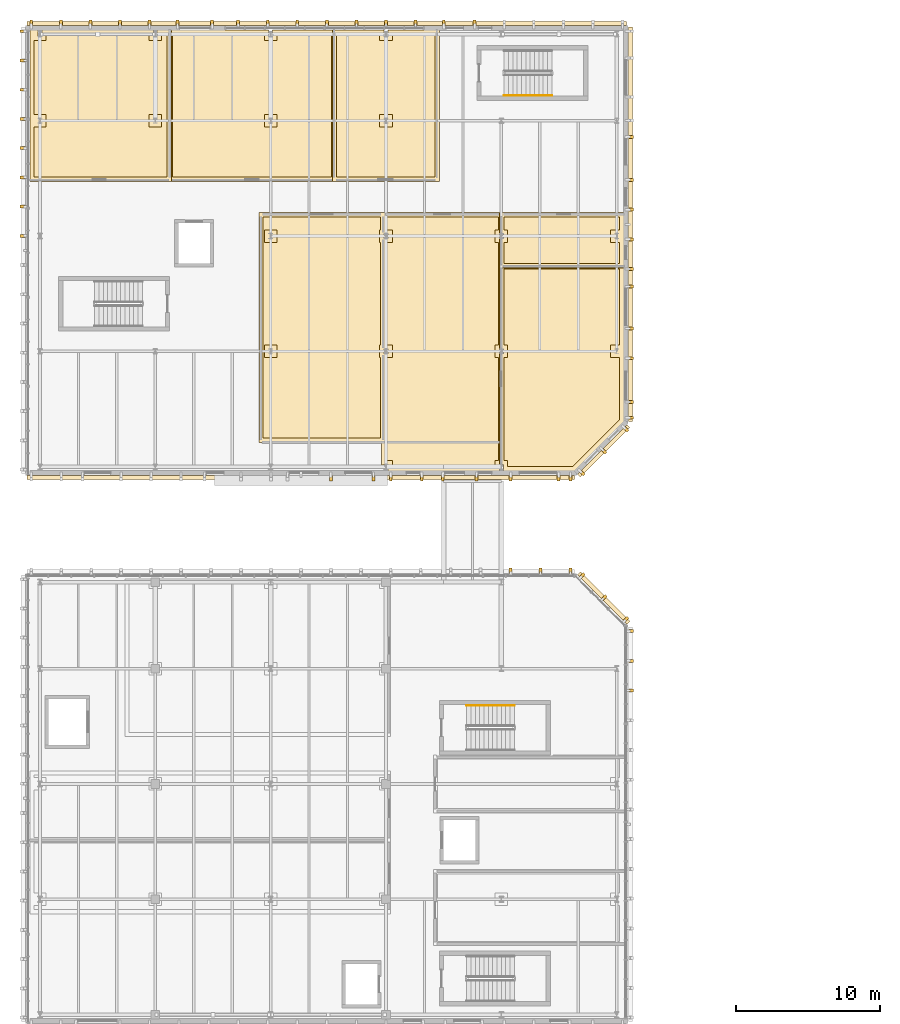
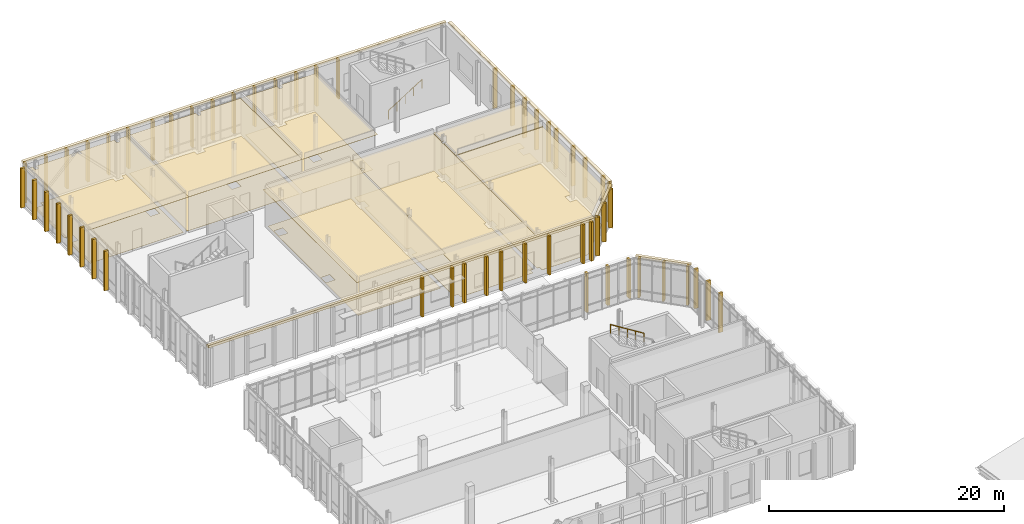
# One storey, part 58 of 62: 74 coverings, 2 railings.
"""IFC4 building model written with IfcOpenShell, lengths in metres."""

import ifcopenshell
import ifcopenshell.guid

model = None  # the IFC model being written
_history = None  # IfcOwnerHistory: only IFC2X3 demands one
_inside = {}  # id of a spatial element -> (the spatial element, [elements in it])
_under = {}  # id of a project, library or spatial element -> (it, [spatial elements below it])
_declared = {}  # id of a project -> (the project, [libraries it declares])
_typed = {}  # id of a type object -> (the type object, [elements of that type])
_made_of = {}  # id of a material, layer set ... -> (it, [elements and type objects made of it])


def new_model(schema):
    """Start an empty IFC model of exactly this schema.

    Asked for "IFC4X3", IfcOpenShell would pick the latest addendum, in which some entities
    have other attributes; the version numbers below select the first issue.
    IFC2X3 requires an IfcOwnerHistory on every rooted entity: one is made here for all.
    """
    global model, _history
    if schema == "IFC4X3":
        model = ifcopenshell.file(schema_version=(4, 3, 0, 0))
    else:
        model = ifcopenshell.file(schema=schema)
    _inside.clear()
    _under.clear()
    _declared.clear()
    _typed.clear()
    _made_of.clear()
    _history = None
    if model.schema == "IFC2X3":
        org = make("IfcOrganization", Name="unknown")
        user = make(
            "IfcPersonAndOrganization",
            ThePerson=make("IfcPerson", FamilyName="unknown"),
            TheOrganization=org,
        )
        app = make(
            "IfcApplication",
            ApplicationDeveloper=org,
            Version="unknown",
            ApplicationFullName="unknown",
            ApplicationIdentifier="unknown",
        )
        _history = make(
            "IfcOwnerHistory",
            OwningUser=user,
            OwningApplication=app,
            ChangeAction="ADDED",
            CreationDate=0,
        )
    return model


def make(cls, **values):
    """One entity of the class cls with the attributes given. An attribute that is None is left unset."""
    return model.create_entity(
        cls, **{name: value for name, value in values.items() if value is not None}
    )


def rooted(cls, **values):
    """An entity with a GlobalId (a new one), such as an element, a storey or a relation."""
    return make(cls, GlobalId=ifcopenshell.guid.new(), OwnerHistory=_history, **values)


def si_unit(unit_type, name, prefix=None):
    """IfcSIUnit, for example si_unit("LENGTHUNIT", "METRE", prefix="MILLI")."""
    return make("IfcSIUnit", UnitType=unit_type, Prefix=prefix, Name=name)


def assignment(units):
    """IfcUnitAssignment: the units of a project."""
    return None if units is None else make("IfcUnitAssignment", Units=units)


def point(xyz):
    """IfcCartesianPoint."""
    return None if xyz is None else make("IfcCartesianPoint", Coordinates=xyz)


def direction(xyz):
    """IfcDirection."""
    return None if xyz is None else make("IfcDirection", DirectionRatios=xyz)


def frame(location, z_axis=None, x_axis=None):
    """IfcAxis2Placement3D, a coordinate frame: its origin and axes. An axis left out is left unset."""
    return make(
        "IfcAxis2Placement3D",
        Location=point(location),
        Axis=direction(z_axis),
        RefDirection=direction(x_axis),
    )


def frame_2d(location, x_axis=None):
    """IfcAxis2Placement2D, a coordinate frame in the plane: its origin and x axis."""
    return make(
        "IfcAxis2Placement2D", Location=point(location), RefDirection=direction(x_axis)
    )


def origin():
    """The frame at (0, 0, 0) with its axes left unset."""
    return frame((0.0, 0.0, 0.0))


def origin_2d():
    """The frame at (0, 0) in the plane with its x axis left unset."""
    return frame_2d((0.0, 0.0))


def place(relative_to, where):
    """IfcLocalPlacement: puts the frame where relative to a parent placement (None: the world)."""
    return make(
        "IfcLocalPlacement", PlacementRelTo=relative_to, RelativePlacement=where
    )


def context(
    kind, dimensions, precision=None, world=None, true_north=None, identifier=None
):
    """IfcGeometricRepresentationContext, for example the 3D "Model" context."""
    return make(
        "IfcGeometricRepresentationContext",
        ContextIdentifier=identifier,
        ContextType=kind,
        CoordinateSpaceDimension=dimensions,
        Precision=precision,
        WorldCoordinateSystem=world,
        TrueNorth=true_north,
    )


def subcontext(parent, identifier, kind, view, scale=None):
    """IfcGeometricRepresentationSubContext, for example "Body" below "Model"."""
    return make(
        "IfcGeometricRepresentationSubContext",
        ContextIdentifier=identifier,
        ContextType=kind,
        ParentContext=parent,
        TargetScale=scale,
        TargetView=view,
    )


def project(units=None, contexts=None):
    """IfcProject with its units and contexts."""
    return rooted(
        "IfcProject",
        Name="project",
        RepresentationContexts=contexts,
        UnitsInContext=assignment(units),
    )


def spatial(cls, under=None, at=None, **own):
    """A site, building, storey or space (cls), placed at a placement, below another one or the project."""
    s = rooted(cls, ObjectPlacement=at, **own)
    if under is not None:
        _under.setdefault(under.id(), (under, []))[1].append(s)
    return s


def polyline(points):
    """IfcPolyline through the points."""
    return make("IfcPolyline", Points=[point(p) for p in points])


def profile(cls, at=None, kind="AREA", **sizes):
    """A parametric profile (cls). Its sizes go by their IFC names, for example OverallWidth=200.0."""
    return make(cls, ProfileType=kind, Position=at, **sizes)


def rectangle(**sizes):
    """IfcRectangleProfileDef."""
    return profile("IfcRectangleProfileDef", **sizes)


def circle(**sizes):
    """IfcCircleProfileDef."""
    return profile("IfcCircleProfileDef", **sizes)


def outline(outer, holes=None, kind="AREA"):
    """IfcArbitraryClosedProfileDef: a profile drawn as a closed curve; with holes, ...WithVoids."""
    if holes is None:
        return make("IfcArbitraryClosedProfileDef", ProfileType=kind, OuterCurve=outer)
    return make(
        "IfcArbitraryProfileDefWithVoids",
        ProfileType=kind,
        OuterCurve=outer,
        InnerCurves=holes,
    )


def extrude(swept, where, along, depth):
    """IfcExtrudedAreaSolid: the profile swept, set in the frame where, extruded along a direction by depth."""
    return make(
        "IfcExtrudedAreaSolid",
        SweptArea=swept,
        Position=where,
        ExtrudedDirection=direction(along),
        Depth=depth,
    )


def shape(context_of_items, identifier, shape_type, items):
    """IfcShapeRepresentation: the items that make up one representation, for example the "Body"."""
    return make(
        "IfcShapeRepresentation",
        ContextOfItems=context_of_items,
        RepresentationIdentifier=identifier,
        RepresentationType=shape_type,
        Items=items,
    )


def material(Name=None, Category=None):
    """IfcMaterial."""
    return make("IfcMaterial", Name=Name, Category=Category)


def layer(
    of_material, thickness, ventilated=None, Name=None, Category=None, Priority=None
):
    """IfcMaterialLayer: one layer of a wall or slab, of a material (None: an air gap)."""
    return make(
        "IfcMaterialLayer",
        Material=of_material,
        LayerThickness=thickness,
        IsVentilated=ventilated,
        Name=Name,
        Category=Category,
        Priority=Priority,
    )


def layer_set(layers, Name=None):
    """IfcMaterialLayerSet."""
    return make("IfcMaterialLayerSet", MaterialLayers=layers, LayerSetName=Name)


def made_of(thing, what):
    """Note that an element or type object is made of a material, layer set ...; save() writes the relation."""
    if what is not None:
        _made_of.setdefault(what.id(), (what, []))[1].append(thing)
    return thing


def type_object(cls, material=None, **own):
    """A type object (cls), such as IfcWallType, which elements share."""
    return made_of(rooted(cls, **own), material)


def element(
    cls,
    number,
    at=None,
    inside=None,
    cuts=None,
    type_object=None,
    material=None,
    context=None,
    identifier="Body",
    shape_type=None,
    held_by="IfcProductDefinitionShape",
    body=None,
    shapes=None,
    **own,
):
    """One element of the class cls, such as IfcWall. Its Tag is "e" and its number.

    at: its placement. inside: the storey or other place that contains it. cuts: it is an
    opening in that element (IfcRelVoidsElement). A single representation is given by context,
    identifier, shape_type and body (its items); several are given by shapes. held_by: the class
    of the entity that holds the representations. save() writes the other relations.
    """
    e = rooted(cls, Tag="e%d" % number, ObjectPlacement=at, **own)
    if body is not None:
        shapes = [shape(context, identifier, shape_type, body)]
    if shapes is not None:
        e.Representation = make(held_by, Representations=shapes)
    if inside is not None:
        _inside.setdefault(inside.id(), (inside, []))[1].append(e)
    if cuts is not None:
        rooted(
            "IfcRelVoidsElement", RelatingBuildingElement=cuts, RelatedOpeningElement=e
        )
    if type_object is not None:
        _typed.setdefault(type_object.id(), (type_object, []))[1].append(e)
    return made_of(e, material)


def aggregate(whole, parts):
    """IfcRelAggregates: a whole, such as a stair, and the parts it consists of."""
    return rooted("IfcRelAggregates", RelatingObject=whole, RelatedObjects=parts)


def save(model, path):
    """Write the relations noted so far, then the file.

    IfcRelAggregates (storeys below a building ...), IfcRelContainedInSpatialStructure (elements
    in a storey), IfcRelDefinesByType, IfcRelAssociatesMaterial and IfcRelDeclares: one each for
    every whole, place, type object, material and project.
    """
    for whole, parts in _under.values():
        aggregate(whole, parts)
    for where, things in _inside.values():
        rooted(
            "IfcRelContainedInSpatialStructure",
            RelatedElements=things,
            RelatingStructure=where,
        )
    for kind, things in _typed.values():
        rooted("IfcRelDefinesByType", RelatedObjects=things, RelatingType=kind)
    for what, things in _made_of.values():
        rooted("IfcRelAssociatesMaterial", RelatedObjects=things, RelatingMaterial=what)
    for by, libraries in _declared.values():
        rooted("IfcRelDeclares", RelatingContext=by, RelatedDefinitions=libraries)
    model.write(path)


model = new_model("IFC4")

# Units and contexts
model_context = context("Model", 3, precision=1e-05, world=origin(), true_north=direction((0.0, 1.0)))
body_context = subcontext(model_context, "Body", "Model", "MODEL_VIEW")
ifc_project = project(units=[si_unit("LENGTHUNIT", "METRE"), si_unit("AREAUNIT", "SQUARE_METRE"), si_unit("VOLUMEUNIT", "CUBIC_METRE"), si_unit("PLANEANGLEUNIT", "RADIAN"), si_unit("MASSUNIT", "GRAM", prefix="KILO")], contexts=[model_context])

# Site, building, storey
site_placement = place(None, origin())
site = spatial("IfcSite", under=ifc_project, at=site_placement, CompositionType="ELEMENT")
building_placement = place(site_placement, origin())
building = spatial("IfcBuilding", under=site, at=building_placement, Name="Cymarion Research Institute", CompositionType="ELEMENT")
storey_placement = place(building_placement, frame((0.0, 0.0, 18.300048828125)))
storey = spatial("IfcBuildingStorey", under=building, at=storey_placement, Name="L04", CompositionType="ELEMENT", Elevation=18.300048828125)

# Coverings
ifc_material_1 = material(Name="Micro-perforated mineral acoustic ceiling tile", Category="gypsum")
ifc_layer_1 = layer(ifc_material_1, 0.030029296875)
ifc_layer_set_1 = layer_set([ifc_layer_1], Name="Micro-perforated mineral acoustic ceiling tile")
covering_type_1 = type_object("IfcCoveringType", Name="ACOUSTIC MICRO-PERFORATED SUSPENDED CEILING CLG-01", PredefinedType="CEILING", material=ifc_layer_set_1)
covering_1_placement = place(storey_placement, frame((0.0, 0.0, 3.68994140625)))
element("IfcCovering", 1, at=covering_1_placement, inside=storey, type_object=covering_type_1, Name="L04 L04 Climate & Earth-System Dry Modelling Laboratory acoustic ceiling", PredefinedType="CEILING", context=body_context, shape_type="SweptSolid", body=[
    extrude(outline(polyline([(30.514892578125, 103.114990234375), (30.514892578125, 101.635009765625), (30.465087890625, 101.635009765625), (30.465087890625, 101.364990234375), (30.514892578125, 101.364990234375), (30.514892578125, 93.635009765625), (30.465087890625, 93.635009765625), (30.465087890625, 93.364990234375), (30.514892578125, 93.364990234375), (30.514892578125, 87.18505859375), (21.784912109375, 87.18505859375), (21.784912109375, 103.114990234375), (30.514892578125, 103.114990234375)])), origin(), (0.0, 0.0, 1.0), 0.030029296875),
])
covering_2_placement = place(storey_placement, frame((0.0, 0.0, 3.68994140625)))
element("IfcCovering", 2, at=covering_2_placement, inside=storey, type_object=covering_type_1, Name="L04 L04 High-Performance Computing & Cryo-Data Room acoustic ceiling", PredefinedType="CEILING", context=body_context, shape_type="SweptSolid", body=[
    extrude(outline(polyline([(38.715087890625, 101.635009765625), (38.465087890625, 101.635009765625), (38.465087890625, 101.364990234375), (38.715087890625, 101.364990234375), (38.715087890625, 93.635009765625), (38.465087890625, 93.635009765625), (38.465087890625, 93.364990234375), (38.715087890625, 93.364990234375), (38.715087890625, 85.635009765625), (38.465087890625, 85.635009765625), (38.465087890625, 85.205078125), (30.735107421875, 85.205078125), (30.735107421875, 85.635009765625), (30.284912109375, 85.635009765625), (30.284912109375, 93.364990234375), (30.735107421875, 93.364990234375), (30.735107421875, 93.635009765625), (30.284912109375, 93.635009765625), (30.284912109375, 101.364990234375), (30.735107421875, 101.364990234375), (30.735107421875, 101.635009765625), (30.284912109375, 101.635009765625), (30.284912109375, 103.114990234375), (38.715087890625, 103.114990234375), (38.715087890625, 101.635009765625)])), origin(), (0.0, 0.0, 1.0), 0.030029296875),
])
covering_3_placement = place(storey_placement, frame((0.0, 0.0, 3.68994140625)))
element("IfcCovering", 3, at=covering_3_placement, inside=storey, type_object=covering_type_1, Name="L04 L04 Cryo-Data Cold Tape & UPS Equipment Room acoustic ceiling", PredefinedType="CEILING", context=body_context, shape_type="SweptSolid", body=[
    extrude(outline(polyline([(47.094970703125, 88.626220703125), (43.673583984375, 85.205078125), (38.735107421875, 85.205078125), (38.735107421875, 85.635009765625), (38.485107421875, 85.635009765625), (38.485107421875, 93.364990234375), (38.735107421875, 93.364990234375), (38.735107421875, 93.635009765625), (38.485107421875, 93.635009765625), (38.485107421875, 99.514892578125), (47.094970703125, 99.514892578125), (47.094970703125, 88.626220703125)])), origin(), (0.0, 0.0, 1.0), 0.030029296875),
])
covering_4_placement = place(storey_placement, frame((0.0, 0.0, 3.72998046875)))
element("IfcCovering", 4, at=covering_4_placement, inside=storey, type_object=covering_type_1, Name="L04 L04 Computational Wing Accessible WC acoustic ceiling", PredefinedType="CEILING", context=body_context, shape_type="SweptSolid", body=[
    extrude(outline(polyline([(38.735107421875, 101.364990234375), (38.735107421875, 101.635009765625), (38.485107421875, 101.635009765625), (38.485107421875, 103.114990234375), (47.094970703125, 103.114990234375), (47.094970703125, 99.284912109375), (38.485107421875, 99.284912109375), (38.485107421875, 101.364990234375), (38.735107421875, 101.364990234375)])), origin(), (0.0, 0.0, 1.0), 0.030029296875),
])
covering_5_placement = place(storey_placement, frame((0.0, 0.0, 3.72998046875)))
element("IfcCovering", 5, at=covering_5_placement, inside=storey, type_object=covering_type_1, Name="L04 L04 Principal Investigator Offices North-West acoustic ceiling", PredefinedType="CEILING", context=body_context, shape_type="SweptSolid", body=[
    extrude(outline(polyline([(5.905029296875, 115.794921875), (6.465087890625, 115.794921875), (6.465087890625, 115.364990234375), (6.735107421875, 115.364990234375), (6.735107421875, 115.794921875), (14.465087890625, 115.794921875), (14.465087890625, 115.364990234375), (14.735107421875, 115.364990234375), (14.735107421875, 115.794921875), (15.715087890625, 115.794921875), (15.715087890625, 105.284912109375), (5.905029296875, 105.284912109375), (5.905029296875, 115.794921875)])), origin(), (0.0, 0.0, 1.0), 0.030029296875),
])
covering_6_placement = place(storey_placement, frame((0.0, 0.0, 3.72998046875)))
element("IfcCovering", 6, at=covering_6_placement, inside=storey, type_object=covering_type_1, Name="L04 L04 Postdoctoral Dry Write-Up & Reading Bay acoustic ceiling", PredefinedType="CEILING", context=body_context, shape_type="SweptSolid", body=[
    extrude(outline(polyline([(15.485107421875, 115.794921875), (22.465087890625, 115.794921875), (22.465087890625, 115.364990234375), (22.735107421875, 115.364990234375), (22.735107421875, 115.794921875), (27.114990234375, 115.794921875), (27.114990234375, 105.284912109375), (15.485107421875, 105.284912109375), (15.485107421875, 115.794921875)])), origin(), (0.0, 0.0, 1.0), 0.030029296875),
])
covering_7_placement = place(storey_placement, frame((0.0, 0.0, 3.72998046875)))
element("IfcCovering", 7, at=covering_7_placement, inside=storey, type_object=covering_type_1, Name="L04 L04 Scientific Visualization & Machine-Learning Dry Lab acoustic ceiling", PredefinedType="CEILING", context=body_context, shape_type="SweptSolid", body=[
    extrude(outline(polyline([(26.885009765625, 115.794921875), (30.465087890625, 115.794921875), (30.465087890625, 115.364990234375), (30.735107421875, 115.364990234375), (30.735107421875, 115.794921875), (34.31494140625, 115.794921875), (34.31494140625, 105.284912109375), (26.885009765625, 105.284912109375), (26.885009765625, 115.794921875)])), origin(), (0.0, 0.0, 1.0), 0.030029296875),
])
ifc_material_2 = material(Name="Precast concrete C45/55 architectural white", Category="concrete")
ifc_layer_2 = layer(ifc_material_2, 0.260009765625)
ifc_layer_set_2 = layer_set([ifc_layer_2], Name="Precast concrete C45/55 architectural white")
covering_type_2 = type_object("IfcCoveringType", Name="SCULPTURAL WHITE PRECAST CONCRETE SPANDREL BROW BAND RIB2 280MM", PredefinedType="CLADDING", material=ifc_layer_set_2)
covering_8_placement = place(storey_placement, frame((45.700439453125, 76.400390625, 4.080078125), z_axis=(0.0, 0.0, 1.0), x_axis=(0.707106781187, 0.707106781187, 0.0)))
element("IfcCovering", 8, at=covering_8_placement, inside=storey, type_object=covering_type_2, Name="L04 V4 precast spandrel brow band RIB2 #856", PredefinedType="CLADDING", context=body_context, shape_type="SweptSolid", body=[
    extrude(rectangle(XDim=0.280029296875, YDim=4.85107421875, at=origin_2d()), origin(), (0.0, 0.0, 1.0), 0.260009765625),
])
covering_9_placement = place(storey_placement, frame((24.699951171875, 84.758056640625, 4.080078125), z_axis=(0.0, 0.0, 1.0), x_axis=(0.0, -1.0, 0.0)))
element("IfcCovering", 9, at=covering_9_placement, inside=storey, type_object=covering_type_2, Name="L04 V5 precast spandrel brow band RIB2 #897", PredefinedType="CLADDING", context=body_context, shape_type="SweptSolid", body=[
    extrude(rectangle(XDim=0.280029296875, YDim=37.9599609375, at=origin_2d()), origin(), (0.0, 0.0, 1.0), 0.260009765625),
])
covering_10_placement = place(storey_placement, frame((45.700439453125, 86.599609375, 4.080078125), z_axis=(0.0, 0.0, 1.0), x_axis=(0.707106781187, -0.707106781187, 0.0)))
element("IfcCovering", 10, at=covering_10_placement, inside=storey, type_object=covering_type_2, Name="L04 V5 precast spandrel brow band RIB2 #917", PredefinedType="CLADDING", context=body_context, shape_type="SweptSolid", body=[
    extrude(rectangle(XDim=0.280029296875, YDim=4.85107421875, at=origin_2d()), origin(), (0.0, 0.0, 1.0), 0.260009765625),
])
covering_11_placement = place(storey_placement, frame((47.5419921875, 102.300048828125, 4.1201171875), z_axis=(0.0, 0.0, 1.0), x_axis=(1.0, 0.0, 0.0)))
element("IfcCovering", 11, at=covering_11_placement, inside=storey, type_object=covering_type_2, Name="L04 V5 precast spandrel brow band RIB2 #921", PredefinedType="CLADDING", context=body_context, shape_type="SweptSolid", body=[
    extrude(rectangle(XDim=0.280029296875, YDim=27.360107421875, at=origin_2d()), origin(), (0.0, 0.0, 1.0), 0.260009765625),
])
covering_12_placement = place(storey_placement, frame((26.5, 116.241943359375, 4.1201171875), z_axis=(0.0, 0.0, 1.0), x_axis=(0.0, 1.0, 0.0)))
element("IfcCovering", 12, at=covering_12_placement, inside=storey, type_object=covering_type_2, Name="L04 V5 precast spandrel brow band RIB2 #936", PredefinedType="CLADDING", context=body_context, shape_type="SweptSolid", body=[
    extrude(rectangle(XDim=0.280029296875, YDim=41.56005859375, at=origin_2d()), origin(), (0.0, 0.0, 1.0), 0.260009765625),
])
ifc_layer_3 = layer(ifc_material_2, 0.199951171875)
ifc_layer_set_3 = layer_set([ifc_layer_3], Name="Precast concrete C45/55 architectural white")
covering_type_3 = type_object("IfcCoveringType", Name="SCULPTURAL WHITE PRECAST CONCRETE VERTICAL RIB RIB1 380X200", PredefinedType="CLADDING", material=ifc_layer_set_3)
for number, where, z_axis, x_axis, name in (
    (13, (47.592041015625, 69.976806640625, 0.010009765625), (0.0, 0.0, 1.0), (1.0, 0.0, 0.0), "L04 V4 sculptural precast vertical rib RIB1 #853"),
    (14, (47.592041015625, 72.03857421875, 0.010009765625), (0.0, 0.0, 1.0), (1.0, 0.0, 0.0), "L04 V4 sculptural precast vertical rib RIB1 #854"),
    (15, (47.592041015625, 74.10009765625, 0.010009765625), (0.0, 0.0, 1.0), (1.0, 0.0, 0.0), "L04 V4 sculptural precast vertical rib RIB1 #855"),
):
    element("IfcCovering", number, at=place(storey_placement, frame(where, z_axis=z_axis, x_axis=x_axis)), inside=storey, type_object=covering_type_3, Name=name, PredefinedType="CLADDING", context=body_context, shape_type="SweptSolid", body=[
        extrude(rectangle(XDim=0.3798828125, YDim=0.199951171875, at=origin_2d()), origin(), (0.0, 0.0, 1.0), 4.10498046875),
    ])
for number, where, z_axis, x_axis, name in (
    (16, (47.2529296875, 74.918701171875, 0.010009765625), (0.0, 0.0, 1.0), (0.707106781187, 0.707106781187, 0.0), "L04 V4 sculptural precast vertical rib RIB1 #857"),
    (17, (45.73583984375, 76.435791015625, 0.010009765625), (0.0, 0.0, 1.0), (0.707106781187, 0.707106781187, 0.0), "L04 V4 sculptural precast vertical rib RIB1 #858"),
    (18, (44.218505859375, 77.952880859375, 0.010009765625), (0.0, 0.0, 1.0), (0.707106781187, 0.707106781187, 0.0), "L04 V4 sculptural precast vertical rib RIB1 #859"),
    (19, (43.39990234375, 78.2919921875, 0.010009765625), (0.0, 0.0, 1.0), (0.0, 1.0, 0.0), "L04 V4 sculptural precast vertical rib RIB1 #861"),
    (20, (41.322265625, 78.2919921875, 0.010009765625), (0.0, 0.0, 1.0), (0.0, 1.0, 0.0), "L04 V4 sculptural precast vertical rib RIB1 #862"),
    (21, (39.244384765625, 78.2919921875, 0.010009765625), (0.0, 0.0, 1.0), (0.0, 1.0, 0.0), "L04 V4 sculptural precast vertical rib RIB1 #863"),
    (22, (26.77783203125, 84.7080078125, 0.010009765625), (0.0, 0.0, 1.0), (0.0, -1.0, 0.0), "L04 V5 sculptural precast vertical rib RIB1 #908"),
    (23, (29.72998046875, 84.7080078125, 0.010009765625), (0.0, 0.0, 1.0), (0.0, -1.0, 0.0), "L04 V5 sculptural precast vertical rib RIB1 #909"),
    (24, (30.933349609375, 84.7080078125, 0.010009765625), (0.0, 0.0, 1.0), (0.0, -1.0, 0.0), "L04 V5 sculptural precast vertical rib RIB1 #910"),
    (25, (33.080078125, 84.7080078125, 0.010009765625), (0.0, 0.0, 1.0), (0.0, -1.0, 0.0), "L04 V5 sculptural precast vertical rib RIB1 #911"),
    (26, (34.534912109375, 84.7080078125, 0.010009765625), (0.0, 0.0, 1.0), (0.0, -1.0, 0.0), "L04 V5 sculptural precast vertical rib RIB1 #912"),
    (27, (36.8798828125, 84.7080078125, 0.010009765625), (0.0, 0.0, 1.0), (0.0, -1.0, 0.0), "L04 V5 sculptural precast vertical rib RIB1 #913"),
    (28, (39.244384765625, 84.7080078125, 0.010009765625), (0.0, 0.0, 1.0), (0.0, -1.0, 0.0), "L04 V5 sculptural precast vertical rib RIB1 #914"),
    (29, (42.574951171875, 84.7080078125, 0.010009765625), (0.0, 0.0, 1.0), (0.0, -1.0, 0.0), "L04 V5 sculptural precast vertical rib RIB1 #915"),
    (30, (43.39990234375, 84.7080078125, 0.010009765625), (0.0, 0.0, 1.0), (0.0, -1.0, 0.0), "L04 V5 sculptural precast vertical rib RIB1 #916"),
    (31, (44.218505859375, 85.047119140625, 0.010009765625), (0.0, 0.0, 1.0), (0.707106781187, -0.707106781187, 0.0), "L04 V5 sculptural precast vertical rib RIB1 #918"),
    (32, (45.73583984375, 86.564208984375, 0.010009765625), (0.0, 0.0, 1.0), (0.707106781187, -0.707106781187, 0.0), "L04 V5 sculptural precast vertical rib RIB1 #919"),
    (33, (47.2529296875, 88.081298828125, 0.010009765625), (0.0, 0.0, 1.0), (0.707106781187, -0.707106781187, 0.0), "L04 V5 sculptural precast vertical rib RIB1 #920"),
):
    element("IfcCovering", number, at=place(storey_placement, frame(where, z_axis=z_axis, x_axis=x_axis)), inside=storey, type_object=covering_type_3, Name=name, PredefinedType="CLADDING", context=body_context, shape_type="SweptSolid", body=[
        extrude(rectangle(XDim=0.3798828125, YDim=0.199951171875, at=origin_2d()), origin(), (0.0, 0.0, 1.0), 4.06494140625),
    ])
for number, where, z_axis, x_axis, name in (
    (34, (47.592041015625, 88.89990234375, 0.010009765625), (0.0, 0.0, 1.0), (1.0, 0.0, 0.0), "L04 V5 sculptural precast vertical rib RIB1 #922"),
    (35, (47.592041015625, 89.98681640625, 0.010009765625), (0.0, 0.0, 1.0), (1.0, 0.0, 0.0), "L04 V5 sculptural precast vertical rib RIB1 #923"),
    (36, (47.592041015625, 93.023193359375, 0.010009765625), (0.0, 0.0, 1.0), (1.0, 0.0, 0.0), "L04 V5 sculptural precast vertical rib RIB1 #924"),
    (37, (47.592041015625, 95.084716796875, 0.010009765625), (0.0, 0.0, 1.0), (1.0, 0.0, 0.0), "L04 V5 sculptural precast vertical rib RIB1 #925"),
    (38, (47.592041015625, 97.994873046875, 0.010009765625), (0.0, 0.0, 1.0), (1.0, 0.0, 0.0), "L04 V5 sculptural precast vertical rib RIB1 #926"),
    (39, (47.592041015625, 99.207763671875, 0.010009765625), (0.0, 0.0, 1.0), (1.0, 0.0, 0.0), "L04 V5 sculptural precast vertical rib RIB1 #927"),
    (40, (47.592041015625, 101.269287109375, 0.010009765625), (0.0, 0.0, 1.0), (1.0, 0.0, 0.0), "L04 V5 sculptural precast vertical rib RIB1 #928"),
    (41, (47.592041015625, 103.330810546875, 0.010009765625), (0.0, 0.0, 1.0), (1.0, 0.0, 0.0), "L04 V5 sculptural precast vertical rib RIB1 #929"),
    (42, (47.592041015625, 105.392333984375, 0.010009765625), (0.0, 0.0, 1.0), (1.0, 0.0, 0.0), "L04 V5 sculptural precast vertical rib RIB1 #930"),
    (43, (47.592041015625, 108.3798828125, 0.010009765625), (0.0, 0.0, 1.0), (1.0, 0.0, 0.0), "L04 V5 sculptural precast vertical rib RIB1 #931"),
    (44, (36.75, 116.2919921875, 0.010009765625), (0.0, 0.0, 1.0), (0.0, 1.0, 0.0), "L04 V5 sculptural precast vertical rib RIB1 #942"),
    (45, (34.610107421875, 116.2919921875, 0.010009765625), (0.0, 0.0, 1.0), (0.0, 1.0, 0.0), "L04 V5 sculptural precast vertical rib RIB1 #943"),
    (46, (32.64990234375, 116.2919921875, 0.010009765625), (0.0, 0.0, 1.0), (0.0, 1.0, 0.0), "L04 V5 sculptural precast vertical rib RIB1 #944"),
    (47, (30.60009765625, 116.2919921875, 0.010009765625), (0.0, 0.0, 1.0), (0.0, 1.0, 0.0), "L04 V5 sculptural precast vertical rib RIB1 #945"),
    (48, (28.550048828125, 116.2919921875, 0.010009765625), (0.0, 0.0, 1.0), (0.0, 1.0, 0.0), "L04 V5 sculptural precast vertical rib RIB1 #946"),
    (49, (26.5, 116.2919921875, 0.010009765625), (0.0, 0.0, 1.0), (0.0, 1.0, 0.0), "L04 V5 sculptural precast vertical rib RIB1 #947"),
    (50, (24.449951171875, 116.2919921875, 0.010009765625), (0.0, 0.0, 1.0), (0.0, 1.0, 0.0), "L04 V5 sculptural precast vertical rib RIB1 #948"),
    (51, (22.39990234375, 116.2919921875, 0.010009765625), (0.0, 0.0, 1.0), (0.0, 1.0, 0.0), "L04 V5 sculptural precast vertical rib RIB1 #949"),
    (52, (20.35009765625, 116.2919921875, 0.010009765625), (0.0, 0.0, 1.0), (0.0, 1.0, 0.0), "L04 V5 sculptural precast vertical rib RIB1 #950"),
    (53, (18.54296875, 116.2919921875, 0.010009765625), (0.0, 0.0, 1.0), (0.0, 1.0, 0.0), "L04 V5 sculptural precast vertical rib RIB1 #951"),
    (54, (16.14306640625, 116.2919921875, 0.010009765625), (0.0, 0.0, 1.0), (0.0, 1.0, 0.0), "L04 V5 sculptural precast vertical rib RIB1 #952"),
    (55, (14.199951171875, 116.2919921875, 0.010009765625), (0.0, 0.0, 1.0), (0.0, 1.0, 0.0), "L04 V5 sculptural precast vertical rib RIB1 #953"),
    (56, (12.14990234375, 116.2919921875, 0.010009765625), (0.0, 0.0, 1.0), (0.0, 1.0, 0.0), "L04 V5 sculptural precast vertical rib RIB1 #954"),
    (57, (10.10009765625, 116.2919921875, 0.010009765625), (0.0, 0.0, 1.0), (0.0, 1.0, 0.0), "L04 V5 sculptural precast vertical rib RIB1 #955"),
    (58, (8.050048828125, 116.2919921875, 0.010009765625), (0.0, 0.0, 1.0), (0.0, 1.0, 0.0), "L04 V5 sculptural precast vertical rib RIB1 #956"),
    (59, (6.0, 116.2919921875, 0.010009765625), (0.0, 0.0, 1.0), (0.0, 1.0, 0.0), "L04 V5 sculptural precast vertical rib RIB1 #957"),
    (60, (5.407958984375, 115.699951171875, 0.010009765625), (0.0, 0.0, 1.0), (-1.0, 0.0, 0.0), "L04 V5 sculptural precast vertical rib RIB1 #959"),
    (61, (5.407958984375, 113.67333984375, 0.010009765625), (0.0, 0.0, 1.0), (-1.0, 0.0, 0.0), "L04 V5 sculptural precast vertical rib RIB1 #960"),
    (62, (5.407958984375, 111.646728515625, 0.010009765625), (0.0, 0.0, 1.0), (-1.0, 0.0, 0.0), "L04 V5 sculptural precast vertical rib RIB1 #961"),
    (63, (5.407958984375, 109.6201171875, 0.010009765625), (0.0, 0.0, 1.0), (-1.0, 0.0, 0.0), "L04 V5 sculptural precast vertical rib RIB1 #962"),
    (64, (5.407958984375, 107.59326171875, 0.010009765625), (0.0, 0.0, 1.0), (-1.0, 0.0, 0.0), "L04 V5 sculptural precast vertical rib RIB1 #963"),
    (65, (5.407958984375, 105.566650390625, 0.010009765625), (0.0, 0.0, 1.0), (-1.0, 0.0, 0.0), "L04 V5 sculptural precast vertical rib RIB1 #964"),
    (66, (5.407958984375, 103.5400390625, 0.010009765625), (0.0, 0.0, 1.0), (-1.0, 0.0, 0.0), "L04 V5 sculptural precast vertical rib RIB1 #965"),
    (67, (5.407958984375, 101.51318359375, 0.010009765625), (0.0, 0.0, 1.0), (-1.0, 0.0, 0.0), "L04 V5 sculptural precast vertical rib RIB1 #966"),
):
    element("IfcCovering", number, at=place(storey_placement, frame(where, z_axis=z_axis, x_axis=x_axis)), inside=storey, type_object=covering_type_3, Name=name, PredefinedType="CLADDING", context=body_context, shape_type="SweptSolid", body=[
        extrude(rectangle(XDim=0.3798828125, YDim=0.199951171875, at=origin_2d()), origin(), (0.0, 0.0, 1.0), 4.10498046875),
    ])
ifc_material_3 = material(Name="Seamless dissipative epoxy resin flooring", Category="resin")
ifc_layer_4 = layer(ifc_material_3, 0.02001953125)
ifc_layer_set_4 = layer_set([ifc_layer_4], Name="Seamless dissipative epoxy resin flooring")
covering_type_4 = type_object("IfcCoveringType", Name="SEAMLESS ESD EPOXY LABORATORY FLOORING FLR-01", PredefinedType="FLOORING", material=ifc_layer_set_4)
covering_13_placement = place(storey_placement, origin())
element("IfcCovering", 68, at=covering_13_placement, inside=storey, type_object=covering_type_4, Name="L04 L04 Climate & Earth-System Dry Modelling Laboratory ESD epoxy flooring", PredefinedType="FLOORING", context=body_context, shape_type="SweptSolid", body=[
    extrude(outline(polyline([(22.0849609375, 102.81494140625), (30.215087890625, 102.81494140625), (30.215087890625, 101.93505859375), (30.1650390625, 101.93505859375), (30.1650390625, 101.06494140625), (30.215087890625, 101.06494140625), (30.215087890625, 93.93505859375), (30.1650390625, 93.93505859375), (30.1650390625, 93.06494140625), (30.215087890625, 93.06494140625), (30.215087890625, 87.485107421875), (22.0849609375, 87.485107421875), (22.0849609375, 102.81494140625)]), holes=[polyline([(22.1650390625, 93.93505859375), (22.1650390625, 93.06494140625), (23.034912109375, 93.06494140625), (23.034912109375, 93.93505859375), (22.1650390625, 93.93505859375)]), polyline([(22.1650390625, 101.93505859375), (22.1650390625, 101.06494140625), (23.034912109375, 101.06494140625), (23.034912109375, 101.93505859375), (22.1650390625, 101.93505859375)])]), origin(), (0.0, 0.0, 1.0), 0.02001953125),
])
covering_14_placement = place(storey_placement, origin())
element("IfcCovering", 69, at=covering_14_placement, inside=storey, type_object=covering_type_4, Name="L04 L04 High-Performance Computing & Cryo-Data Room ESD epoxy flooring", PredefinedType="FLOORING", context=body_context, shape_type="SweptSolid", body=[
    extrude(outline(polyline([(38.4150390625, 102.81494140625), (38.4150390625, 101.93505859375), (38.1650390625, 101.93505859375), (38.1650390625, 101.06494140625), (38.4150390625, 101.06494140625), (38.4150390625, 93.93505859375), (38.1650390625, 93.93505859375), (38.1650390625, 93.06494140625), (38.4150390625, 93.06494140625), (38.4150390625, 85.93505859375), (38.1650390625, 85.93505859375), (38.1650390625, 85.5048828125), (31.034912109375, 85.5048828125), (31.034912109375, 85.93505859375), (30.5849609375, 85.93505859375), (30.5849609375, 93.06494140625), (31.034912109375, 93.06494140625), (31.034912109375, 93.93505859375), (30.5849609375, 93.93505859375), (30.5849609375, 101.06494140625), (31.034912109375, 101.06494140625), (31.034912109375, 101.93505859375), (30.5849609375, 101.93505859375), (30.5849609375, 102.81494140625), (38.4150390625, 102.81494140625)])), origin(), (0.0, 0.0, 1.0), 0.02001953125),
])
covering_15_placement = place(storey_placement, origin())
element("IfcCovering", 70, at=covering_15_placement, inside=storey, type_object=covering_type_4, Name="L04 L04 Cryo-Data Cold Tape & UPS Equipment Room ESD epoxy flooring", PredefinedType="FLOORING", context=body_context, shape_type="SweptSolid", body=[
    extrude(outline(polyline([(46.1650390625, 93.93505859375), (46.1650390625, 93.06494140625), (46.794921875, 93.06494140625), (46.794921875, 88.75048828125), (43.54931640625, 85.5048828125), (39.034912109375, 85.5048828125), (39.034912109375, 85.93505859375), (38.784912109375, 85.93505859375), (38.784912109375, 93.06494140625), (39.034912109375, 93.06494140625), (39.034912109375, 93.93505859375), (38.784912109375, 93.93505859375), (38.784912109375, 99.215087890625), (46.794921875, 99.215087890625), (46.794921875, 93.93505859375), (46.1650390625, 93.93505859375)])), origin(), (0.0, 0.0, 1.0), 0.02001953125),
])
covering_16_placement = place(storey_placement, origin())
element("IfcCovering", 71, at=covering_16_placement, inside=storey, type_object=covering_type_4, Name="L04 L04 Computational Wing Accessible WC ESD epoxy flooring", PredefinedType="FLOORING", context=body_context, shape_type="SweptSolid", body=[
    extrude(outline(polyline([(38.784912109375, 101.06494140625), (39.034912109375, 101.06494140625), (39.034912109375, 101.93505859375), (38.784912109375, 101.93505859375), (38.784912109375, 102.81494140625), (46.794921875, 102.81494140625), (46.794921875, 101.93505859375), (46.1650390625, 101.93505859375), (46.1650390625, 101.06494140625), (46.794921875, 101.06494140625), (46.794921875, 99.5849609375), (38.784912109375, 99.5849609375), (38.784912109375, 101.06494140625)])), origin(), (0.0, 0.0, 1.0), 0.02001953125),
])
covering_17_placement = place(storey_placement, origin())
element("IfcCovering", 72, at=covering_17_placement, inside=storey, type_object=covering_type_4, Name="L04 L04 Principal Investigator Offices North-West ESD epoxy flooring", PredefinedType="FLOORING", context=body_context, shape_type="SweptSolid", body=[
    extrude(outline(polyline([(6.205078125, 109.06494140625), (7.034912109375, 109.06494140625), (7.034912109375, 109.93505859375), (6.205078125, 109.93505859375), (6.205078125, 115.06494140625), (7.034912109375, 115.06494140625), (7.034912109375, 115.4951171875), (14.1650390625, 115.4951171875), (14.1650390625, 115.06494140625), (15.034912109375, 115.06494140625), (15.034912109375, 115.4951171875), (15.4150390625, 115.4951171875), (15.4150390625, 105.5849609375), (6.205078125, 105.5849609375), (6.205078125, 109.06494140625)]), holes=[polyline([(14.1650390625, 109.93505859375), (14.1650390625, 109.06494140625), (15.034912109375, 109.06494140625), (15.034912109375, 109.93505859375), (14.1650390625, 109.93505859375)])]), origin(), (0.0, 0.0, 1.0), 0.02001953125),
])
covering_18_placement = place(storey_placement, origin())
element("IfcCovering", 73, at=covering_18_placement, inside=storey, type_object=covering_type_4, Name="L04 L04 Postdoctoral Dry Write-Up & Reading Bay ESD epoxy flooring", PredefinedType="FLOORING", context=body_context, shape_type="SweptSolid", body=[
    extrude(outline(polyline([(15.784912109375, 105.5849609375), (15.784912109375, 115.4951171875), (22.1650390625, 115.4951171875), (22.1650390625, 115.06494140625), (23.034912109375, 115.06494140625), (23.034912109375, 115.4951171875), (26.81494140625, 115.4951171875), (26.81494140625, 105.5849609375), (15.784912109375, 105.5849609375)]), holes=[polyline([(22.1650390625, 109.93505859375), (22.1650390625, 109.06494140625), (23.034912109375, 109.06494140625), (23.034912109375, 109.93505859375), (22.1650390625, 109.93505859375)])]), origin(), (0.0, 0.0, 1.0), 0.02001953125),
])
covering_19_placement = place(storey_placement, origin())
element("IfcCovering", 74, at=covering_19_placement, inside=storey, type_object=covering_type_4, Name="L04 L04 Scientific Visualization & Machine-Learning Dry Lab ESD epoxy flooring", PredefinedType="FLOORING", context=body_context, shape_type="SweptSolid", body=[
    extrude(outline(polyline([(27.18505859375, 105.5849609375), (27.18505859375, 115.4951171875), (30.1650390625, 115.4951171875), (30.1650390625, 115.06494140625), (31.034912109375, 115.06494140625), (31.034912109375, 115.4951171875), (34.014892578125, 115.4951171875), (34.014892578125, 105.5849609375), (27.18505859375, 105.5849609375)]), holes=[polyline([(30.1650390625, 109.93505859375), (30.1650390625, 109.06494140625), (31.034912109375, 109.06494140625), (31.034912109375, 109.93505859375), (30.1650390625, 109.93505859375)])]), origin(), (0.0, 0.0, 1.0), 0.02001953125),
])

# Railings
ifc_material_4 = material(Name="Steel S355", Category="steel")
railing_type = type_object("IfcRailingType", Name="STAINLESS STEEL STAIR HANDRAIL HR1 900MM", PredefinedType="HANDRAIL", material=ifc_material_4)
railing_1_placement = place(storey_placement, frame((39.5, 68.949951171875, 2.4375)))
element("IfcRailing", 75, at=railing_1_placement, inside=storey, type_object=railing_type, Name="L04 ST8 stair handrail 2", PredefinedType="HANDRAIL", context=body_context, shape_type="SweptSolid", body=[
    extrude(circle(Radius=0.02392578125, at=origin_2d()), frame((0.0, 0.0, 0.8759765625), z_axis=(-0.848001828478, 0.0, 0.529993300805), x_axis=(0.0, -1.0, 0.0)), (0.0, 0.0, 1.0), 3.8916015625),
    extrude(circle(Radius=0.02099609375, at=origin_2d()), origin(), (0.0, 0.0, 1.0), 0.851806640625),
    extrude(circle(Radius=0.02099609375, at=origin_2d()), frame((-0.824951171875, 0.0, 0.515625)), (0.0, 0.0, 1.0), 0.851806640625),
    extrude(circle(Radius=0.02099609375, at=origin_2d()), frame((-1.64990234375, 0.0, 1.03125)), (0.0, 0.0, 1.0), 0.851806640625),
    extrude(circle(Radius=0.02099609375, at=origin_2d()), frame((-2.47509765625, 0.0, 1.546875)), (0.0, 0.0, 1.0), 0.851806640625),
    extrude(circle(Radius=0.02099609375, at=origin_2d()), frame((-3.300048828125, 0.0, 2.0625)), (0.0, 0.0, 1.0), 0.851806640625),
])
railing_2_placement = place(storey_placement, frame((38.800048828125, 111.25, 0.1875)))
element("IfcRailing", 76, at=railing_2_placement, inside=storey, type_object=railing_type, Name="L04 ST10 stair handrail 1", PredefinedType="HANDRAIL", context=body_context, shape_type="SweptSolid", body=[
    extrude(circle(Radius=0.02392578125, at=origin_2d()), frame((0.0, 0.0, 0.8759765625), z_axis=(0.848001828478, 0.0, 0.529993300805), x_axis=(0.0, 1.0, 0.0)), (0.0, 0.0, 1.0), 3.8916015625),
    extrude(circle(Radius=0.02099609375, at=origin_2d()), origin(), (0.0, 0.0, 1.0), 0.851806640625),
    extrude(circle(Radius=0.02099609375, at=origin_2d()), frame((0.824951171875, 0.0, 0.515625)), (0.0, 0.0, 1.0), 0.851806640625),
    extrude(circle(Radius=0.02099609375, at=origin_2d()), frame((1.64990234375, 0.0, 1.03125)), (0.0, 0.0, 1.0), 0.851806640625),
    extrude(circle(Radius=0.02099609375, at=origin_2d()), frame((2.47509765625, 0.0, 1.546875)), (0.0, 0.0, 1.0), 0.851806640625),
    extrude(circle(Radius=0.02099609375, at=origin_2d()), frame((3.300048828125, 0.0, 2.0625)), (0.0, 0.0, 1.0), 0.851806640625),
])

save(model, "model.ifc")
